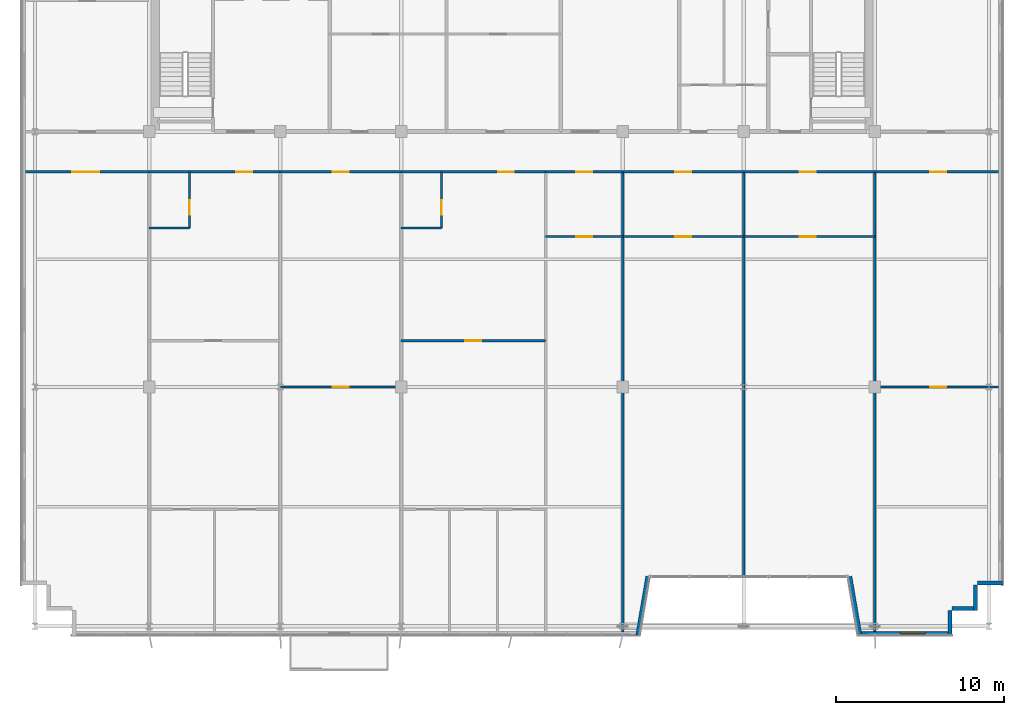
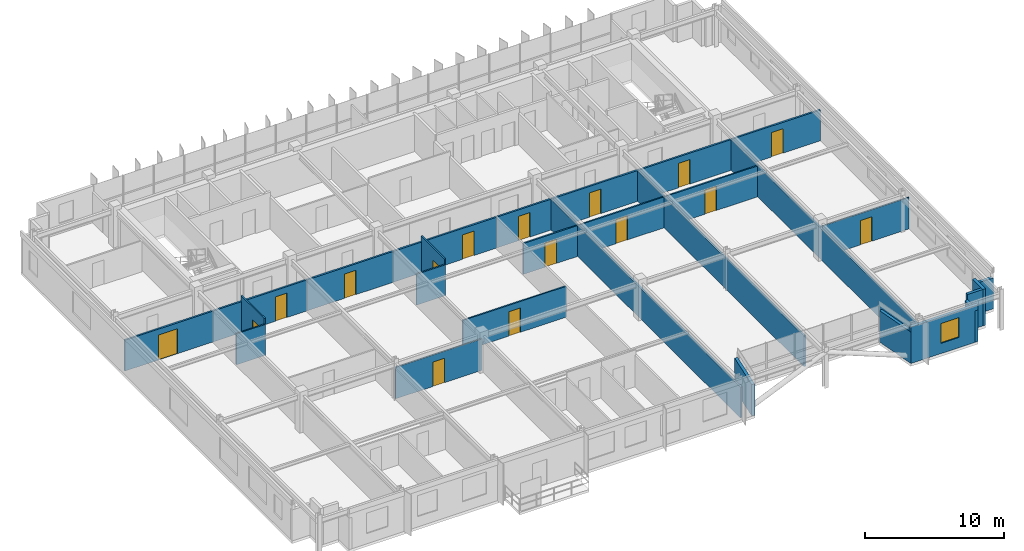
# One storey, part 22 of 27: 28 walls, 16 doors, 1 window, 17 openings.
"""IFC4 building model written with IfcOpenShell, lengths in metres."""

from ifc_helpers import new_model, si_unit, direction, frame, frame_2d, origin, place, context, subcontext, project, spatial, rectangle, extrude, source, transform, mapped, material, layer, layer_set, type_object, element, fill, save


model = new_model("IFC4")

# Units and contexts
model_context = context("Model", 3, precision=1e-05, world=origin(), true_north=direction((0.0, 1.0)))
body_context = subcontext(model_context, "Body", "Model", "MODEL_VIEW")
ifc_project = project(units=[si_unit("LENGTHUNIT", "METRE"), si_unit("AREAUNIT", "SQUARE_METRE"), si_unit("VOLUMEUNIT", "CUBIC_METRE"), si_unit("PLANEANGLEUNIT", "RADIAN"), si_unit("MASSUNIT", "GRAM", prefix="KILO")], contexts=[model_context])

# Site, building, storey
site_placement = place(None, origin())
site = spatial("IfcSite", under=ifc_project, at=site_placement, CompositionType="ELEMENT")
building_placement = place(site_placement, origin())
building = spatial("IfcBuilding", under=site, at=building_placement, Name="Trelvane Seafront Commons", CompositionType="ELEMENT")
storey_placement = place(building_placement, frame((0.0, 0.0, 237.300048828125)))
storey = spatial("IfcBuildingStorey", under=building, at=storey_placement, Name="L62", CompositionType="ELEMENT", Elevation=237.300048828125)

# Walls
ifc_material_1 = material(Name="Precast concrete C40/50", Category="concrete")
ifc_layer_1 = layer(ifc_material_1, 0.239990234375, Name="ARCH-WALL-EXT240")
ifc_layer_set_1 = layer_set([ifc_layer_1], Name="Precast concrete C40/50")
wall_type_1 = type_object("IfcWallType", Name="ARCH-WALL-EXT240", PredefinedType="SOLIDWALL", material=ifc_layer_set_1)
wall_1_placement = place(storey_placement, frame((66.39990234375, 6.52001953125, 0.0), z_axis=(0.0, 0.0, 1.0), x_axis=(-1.0, 0.0, 0.0)))
element("IfcWall", 1, at=wall_1_placement, inside=storey, type_object=wall_type_1, Name="EW-L62-01268", PredefinedType="SOLIDWALL", context=body_context, shape_type="SweptSolid", body=[
    extrude(rectangle(XDim=1.5, YDim=0.239990234375, at=frame_2d((0.75, 0.0))), origin(), (0.0, 0.0, 1.0), 2.719970703125),
])
for number, where, z_axis, x_axis, name in (
    (2, (64.780029296875, 6.39990234375, 0.0), (0.0, 0.0, 1.0), (0.0, -1.0, 0.0), "EW-L62-01269"),
    (3, (64.89990234375, 5.02001953125, 0.0), (0.0, 0.0, 1.0), (-1.0, 0.0, 0.0), "EW-L62-01270"),
):
    element("IfcWall", number, at=place(storey_placement, frame(where, z_axis=z_axis, x_axis=x_axis)), inside=storey, type_object=wall_type_1, Name=name, PredefinedType="SOLIDWALL", context=body_context, shape_type="SweptSolid", body=[
        extrude(rectangle(XDim=1.5, YDim=0.239990234375, at=frame_2d((0.75, 0.0))), origin(), (0.0, 0.0, 1.0), 3.219970703125),
    ])
wall_2_placement = place(storey_placement, frame((63.280029296875, 4.89990234375, 0.0), z_axis=(0.0, 0.0, 1.0), x_axis=(0.0, -1.0, 0.0)))
element("IfcWall", 4, at=wall_2_placement, inside=storey, type_object=wall_type_1, Name="EW-L62-01271", PredefinedType="SOLIDWALL", context=body_context, shape_type="SweptSolid", body=[
    extrude(rectangle(XDim=1.5, YDim=0.239990234375, at=frame_2d((0.75, 0.0))), origin(), (0.0, 0.0, 1.0), 2.77001953125),
])

# Wall, opening, window
wall_3_placement = place(storey_placement, frame((63.39990234375, 3.52001953125, 0.0), z_axis=(0.0, 0.0, 1.0), x_axis=(-1.0, 0.0, 0.0)))
wall_3 = element("IfcWall", 5, at=wall_3_placement, inside=storey, type_object=wall_type_1, Name="EW-L62-01272", PredefinedType="SOLIDWALL", context=body_context, shape_type="SweptSolid", body=[
    extrude(rectangle(XDim=5.599853515625, YDim=0.239990234375, at=frame_2d((2.7998046875, 0.0))), origin(), (0.0, 0.0, 1.0), 3.219970703125),
])
opening_1_placement = place(wall_3_placement, frame((1.594970703125, 0.0, 0.89990234375)))
opening_1 = element("IfcOpeningElement", 6, at=opening_1_placement, cuts=wall_3, Name="Opening W03", PredefinedType="OPENING", context=body_context, shape_type="SweptSolid", body=[
    extrude(rectangle(XDim=1.5, YDim=1.75, at=frame_2d((0.75, 0.875))), frame((0.0, 0.1298828125, 0.0), z_axis=(0.0, -1.0, 0.0), x_axis=(1.0, 0.0, 0.0)), (0.0, 0.0, 1.0), 0.260009765625),
])
ifc_material_2 = material(Name="Low-E coastal double glazing", Category="glass")
window_type = type_object("IfcWindowType", Name="ARCH-WIN-W03", PartitioningType="SINGLE_PANEL", PredefinedType="WINDOW", material=ifc_material_2)
shared_shape_1 = source(origin(), body_context, "Body", "SweptSolid", [
    extrude(rectangle(XDim=1.5, YDim=1.75, at=frame_2d((0.75, 0.875))), frame((0.0, 0.030029296875, 0.0), z_axis=(0.0, -1.0, 0.0), x_axis=(1.0, 0.0, 0.0)), (0.0, 0.0, 1.0), 0.06005859375),
])
window_placement = place(opening_1_placement, origin())
window = element("IfcWindow", 7, at=window_placement, inside=storey, type_object=window_type, Name="WIN-L62-01526", OverallHeight=1.75, OverallWidth=1.5, PartitioningType="SINGLE_PANEL", PredefinedType="WINDOW", context=body_context, shape_type="MappedRepresentation", body=[
    mapped(shared_shape_1, transform((0.0, 0.0, 0.0), x_axis=(1.0, 0.0, 0.0), y_axis=(0.0, 1.0, 0.0), z_axis=(0.0, 0.0, 1.0), scale=1.0)),
])
fill(opening_1, window)

# Walls
for number, where, z_axis, x_axis, name in (
    (8, (57.918212890625, 3.42041015625, 0.0), (0.0, 0.0, 1.0), (-0.168923741424, 0.98562912375, 0.0), "EW-L62-01273"),
    (9, (45.28173828125, 6.92041015625, 0.0), (0.0, 0.0, 1.0), (-0.168990530437, -0.98561767467, 0.0), "EW-L62-01274"),
):
    element("IfcWall", number, at=place(storey_placement, frame(where, z_axis=z_axis, x_axis=x_axis)), inside=storey, type_object=wall_type_1, Name=name, PredefinedType="SOLIDWALL", context=body_context, shape_type="SweptSolid", body=[
        extrude(rectangle(XDim=3.551025390625, YDim=0.239990234375, at=frame_2d((1.775390625, 0.0))), origin(), (0.0, 0.0, 1.0), 2.77001953125),
    ])

# Wall, opening, door
ifc_material_3 = material(Name="Gypsum Drywall Acoustic Partition")
ifc_layer_2 = layer(ifc_material_3, 0.1201171875, Name="ARCH-WALL-PART120")
ifc_layer_set_2 = layer_set([ifc_layer_2], Name="Gypsum Drywall Acoustic Partition")
wall_type_2 = type_object("IfcWallType", Name="ARCH-WALL-PART120", PredefinedType="PARTITIONING", material=ifc_layer_set_2)
wall_4_placement = place(storey_placement, frame((18.0, 27.64990234375, 0.0), z_axis=(0.0, 0.0, 1.0), x_axis=(0.0, 1.0, 0.0)))
wall_4 = element("IfcWall", 10, at=wall_4_placement, inside=storey, type_object=wall_type_2, Name="W-L62-U2-BE-050", PredefinedType="PARTITIONING", context=body_context, shape_type="SweptSolid", body=[
    extrude(rectangle(XDim=3.35009765625, YDim=0.1201171875, at=frame_2d((1.675048828125, 0.0))), origin(), (0.0, 0.0, 1.0), 3.219970703125),
])
opening_2_placement = place(wall_4_placement, frame((0.800048828125, 0.0, 0.0)))
opening_2 = element("IfcOpeningElement", 11, at=opening_2_placement, cuts=wall_4, Name="Opening D-L62-30", PredefinedType="OPENING", context=body_context, shape_type="SweptSolid", body=[
    extrude(rectangle(XDim=0.85009765625, YDim=2.10009765625, at=frame_2d((0.425048828125, 1.050048828125))), frame((0.0, 0.070068359375, 0.0), z_axis=(0.0, -1.0, 0.0), x_axis=(1.0, 0.0, 0.0)), (0.0, 0.0, 1.0), 0.14013671875),
])
ifc_material_4 = material(Name="Acoustic timber door leaf", Category="wood")
door_type_1 = type_object("IfcDoorType", Name="ARCH-DR-INT850", OperationType="NOTDEFINED", PredefinedType="DOOR", material=ifc_material_4)
shared_shape_2 = source(origin(), body_context, "Body", "SweptSolid", [
    extrude(rectangle(XDim=0.85009765625, YDim=2.10009765625, at=frame_2d((0.425048828125, 1.050048828125))), frame((0.0, 0.02490234375, 0.0), z_axis=(0.0, -1.0, 0.0), x_axis=(1.0, 0.0, 0.0)), (0.0, 0.0, 1.0), 0.050048828125),
])
door_1_placement = place(opening_2_placement, origin())
door_1 = element("IfcDoor", 12, at=door_1_placement, inside=storey, type_object=door_type_1, Name="L62 Door 30", OperationType="SINGLE_SWING_RIGHT", OverallHeight=2.10009765625, OverallWidth=0.85009765625, PredefinedType="DOOR", context=body_context, shape_type="MappedRepresentation", body=[
    mapped(shared_shape_2, transform((0.0, 0.0, 0.0), x_axis=(1.0, 0.0, 0.0), y_axis=(0.0, 1.0, 0.0), z_axis=(0.0, 0.0, 1.0), scale=1.0)),
])
fill(opening_2, door_1)

# Wall
wall_5_placement = place(storey_placement, frame((15.60009765625, 27.64990234375, 0.0), z_axis=(0.0, 0.0, 1.0), x_axis=(1.0, 0.0, 0.0)))
element("IfcWall", 13, at=wall_5_placement, inside=storey, type_object=wall_type_2, Name="W-L62-U2-BS-051", PredefinedType="PARTITIONING", context=body_context, shape_type="SweptSolid", body=[
    extrude(rectangle(XDim=2.39990234375, YDim=0.1201171875, at=frame_2d((1.199951171875, 0.0))), origin(), (0.0, 0.0, 1.0), 2.719970703125),
])

# Wall, opening, door
wall_6_placement = place(storey_placement, frame((23.39990234375, 18.199951171875, 0.0), z_axis=(0.0, 0.0, 1.0), x_axis=(1.0, 0.0, 0.0)))
wall_6 = element("IfcWall", 14, at=wall_6_placement, inside=storey, type_object=wall_type_2, Name="W-L62-U3-DIV-057", PredefinedType="PARTITIONING", context=body_context, shape_type="SweptSolid", body=[
    extrude(rectangle(XDim=7.2001953125, YDim=0.1201171875, at=frame_2d((3.60009765625, 0.0))), origin(), (0.0, 0.0, 1.0), 2.77001953125),
])
opening_3_placement = place(wall_6_placement, frame((3.125, 0.0, 0.0)))
opening_3 = element("IfcOpeningElement", 15, at=opening_3_placement, cuts=wall_6, Name="Opening D-L62-35", PredefinedType="OPENING", context=body_context, shape_type="SweptSolid", body=[
    extrude(rectangle(XDim=0.949951171875, YDim=2.14990234375, at=frame_2d((0.47509765625, 1.074951171875))), frame((0.0, 0.070068359375, 0.0), z_axis=(0.0, -1.0, 0.0), x_axis=(1.0, 0.0, 0.0)), (0.0, 0.0, 1.0), 0.14013671875),
])
door_type_2 = type_object("IfcDoorType", Name="ARCH-DR-INT950", OperationType="NOTDEFINED", PredefinedType="DOOR", material=ifc_material_4)
shared_shape_3 = source(origin(), body_context, "Body", "SweptSolid", [
    extrude(rectangle(XDim=0.949951171875, YDim=2.14990234375, at=frame_2d((0.47509765625, 1.074951171875))), frame((0.0, 0.02490234375, 0.0), z_axis=(0.0, -1.0, 0.0), x_axis=(1.0, 0.0, 0.0)), (0.0, 0.0, 1.0), 0.050048828125),
])
door_2_placement = place(opening_3_placement, origin())
door_2 = element("IfcDoor", 16, at=door_2_placement, inside=storey, type_object=door_type_2, Name="L62 Door 35", OperationType="SINGLE_SWING_LEFT", OverallHeight=2.14990234375, OverallWidth=0.949951171875, PredefinedType="DOOR", context=body_context, shape_type="MappedRepresentation", body=[
    mapped(shared_shape_3, transform((0.0, 0.0, 0.0), x_axis=(1.0, 0.0, 0.0), y_axis=(0.0, 1.0, 0.0), z_axis=(0.0, 0.0, 1.0), scale=1.0)),
])
fill(opening_3, door_2)

wall_7_placement = place(storey_placement, frame((30.60009765625, 20.949951171875, 0.0), z_axis=(0.0, 0.0, 1.0), x_axis=(1.0, 0.0, 0.0)))
wall_7 = element("IfcWall", 17, at=wall_7_placement, inside=storey, type_object=wall_type_2, Name="W-L62-U4-KL-058", PredefinedType="PARTITIONING", context=body_context, shape_type="SweptSolid", body=[
    extrude(rectangle(XDim=8.599853515625, YDim=0.1201171875, at=frame_2d((4.2998046875, 0.0))), origin(), (0.0, 0.0, 1.0), 2.719970703125),
])
opening_4_placement = place(wall_7_placement, frame((3.824951171875, 0.0, 0.0)))
opening_4 = element("IfcOpeningElement", 18, at=opening_4_placement, cuts=wall_7, Name="Opening D-L62-36", PredefinedType="OPENING", context=body_context, shape_type="SweptSolid", body=[
    extrude(rectangle(XDim=0.949951171875, YDim=2.14990234375, at=frame_2d((0.47509765625, 1.074951171875))), frame((0.0, 0.070068359375, 0.0), z_axis=(0.0, -1.0, 0.0), x_axis=(1.0, 0.0, 0.0)), (0.0, 0.0, 1.0), 0.14013671875),
])
door_3_placement = place(opening_4_placement, origin())
door_3 = element("IfcDoor", 19, at=door_3_placement, inside=storey, type_object=door_type_2, Name="L62 Door 36", OperationType="SINGLE_SWING_RIGHT", OverallHeight=2.14990234375, OverallWidth=0.949951171875, PredefinedType="DOOR", context=body_context, shape_type="MappedRepresentation", body=[
    mapped(shared_shape_3, transform((0.0, 0.0, 0.0), x_axis=(1.0, 0.0, 0.0), y_axis=(0.0, 1.0, 0.0), z_axis=(0.0, 0.0, 1.0), scale=1.0)),
])
fill(opening_4, door_3)

wall_8_placement = place(storey_placement, frame((33.0, 27.64990234375, 0.0), z_axis=(0.0, 0.0, 1.0), x_axis=(0.0, 1.0, 0.0)))
wall_8 = element("IfcWall", 20, at=wall_8_placement, inside=storey, type_object=wall_type_2, Name="W-L62-U4-BE-059", PredefinedType="PARTITIONING", context=body_context, shape_type="SweptSolid", body=[
    extrude(rectangle(XDim=3.35009765625, YDim=0.1201171875, at=frame_2d((1.675048828125, 0.0))), origin(), (0.0, 0.0, 1.0), 3.219970703125),
])
opening_5_placement = place(wall_8_placement, frame((0.800048828125, 0.0, 0.0)))
opening_5 = element("IfcOpeningElement", 21, at=opening_5_placement, cuts=wall_8, Name="Opening D-L62-37", PredefinedType="OPENING", context=body_context, shape_type="SweptSolid", body=[
    extrude(rectangle(XDim=0.85009765625, YDim=2.10009765625, at=frame_2d((0.425048828125, 1.050048828125))), frame((0.0, 0.070068359375, 0.0), z_axis=(0.0, -1.0, 0.0), x_axis=(1.0, 0.0, 0.0)), (0.0, 0.0, 1.0), 0.14013671875),
])
door_4_placement = place(opening_5_placement, origin())
door_4 = element("IfcDoor", 22, at=door_4_placement, inside=storey, type_object=door_type_1, Name="L62 Door 37", OperationType="SINGLE_SWING_LEFT", OverallHeight=2.10009765625, OverallWidth=0.85009765625, PredefinedType="DOOR", context=body_context, shape_type="MappedRepresentation", body=[
    mapped(shared_shape_2, transform((0.0, 0.0, 0.0), x_axis=(1.0, 0.0, 0.0), y_axis=(0.0, 1.0, 0.0), z_axis=(0.0, 0.0, 1.0), scale=1.0)),
])
fill(opening_5, door_4)

# Wall
wall_9_placement = place(storey_placement, frame((30.60009765625, 27.64990234375, 0.0), z_axis=(0.0, 0.0, 1.0), x_axis=(1.0, 0.0, 0.0)))
element("IfcWall", 23, at=wall_9_placement, inside=storey, type_object=wall_type_2, Name="W-L62-U4-BS-060", PredefinedType="PARTITIONING", context=body_context, shape_type="SweptSolid", body=[
    extrude(rectangle(XDim=2.39990234375, YDim=0.1201171875, at=frame_2d((1.199951171875, 0.0))), origin(), (0.0, 0.0, 1.0), 2.719970703125),
])

# Wall, opening, door
wall_10_placement = place(storey_placement, frame((39.199951171875, 27.14990234375, 0.0), z_axis=(0.0, 0.0, 1.0), x_axis=(1.0, 0.0, 0.0)))
wall_10 = element("IfcWall", 24, at=wall_10_placement, inside=storey, type_object=wall_type_2, Name="W-L62-U5-DIV-068", PredefinedType="PARTITIONING", context=body_context, shape_type="SweptSolid", body=[
    extrude(rectangle(XDim=4.60009765625, YDim=0.1201171875, at=frame_2d((2.300048828125, 0.0))), origin(), (0.0, 0.0, 1.0), 2.719970703125),
])
opening_6_placement = place(wall_10_placement, frame((1.824951171875, 0.0, 0.0)))
opening_6 = element("IfcOpeningElement", 25, at=opening_6_placement, cuts=wall_10, Name="Opening D-L62-43", PredefinedType="OPENING", context=body_context, shape_type="SweptSolid", body=[
    extrude(rectangle(XDim=0.949951171875, YDim=2.14990234375, at=frame_2d((0.47509765625, 1.074951171875))), frame((0.0, 0.070068359375, 0.0), z_axis=(0.0, -1.0, 0.0), x_axis=(1.0, 0.0, 0.0)), (0.0, 0.0, 1.0), 0.14013671875),
])
door_5_placement = place(opening_6_placement, origin())
door_5 = element("IfcDoor", 26, at=door_5_placement, inside=storey, type_object=door_type_2, Name="L62 Door 43", OperationType="SINGLE_SWING_LEFT", OverallHeight=2.14990234375, OverallWidth=0.949951171875, PredefinedType="DOOR", context=body_context, shape_type="MappedRepresentation", body=[
    mapped(shared_shape_3, transform((0.0, 0.0, 0.0), x_axis=(1.0, 0.0, 0.0), y_axis=(0.0, 1.0, 0.0), z_axis=(0.0, 0.0, 1.0), scale=1.0)),
])
fill(opening_6, door_5)

wall_11_placement = place(storey_placement, frame((43.800048828125, 27.14990234375, 0.0), z_axis=(0.0, 0.0, 1.0), x_axis=(1.0, 0.0, 0.0)))
wall_11 = element("IfcWall", 27, at=wall_11_placement, inside=storey, type_object=wall_type_2, Name="W-L62-U6-DIV-070", PredefinedType="PARTITIONING", context=body_context, shape_type="SweptSolid", body=[
    extrude(rectangle(XDim=7.199951171875, YDim=0.1201171875, at=frame_2d((3.60009765625, 0.0))), origin(), (0.0, 0.0, 1.0), 2.719970703125),
])
opening_7_placement = place(wall_11_placement, frame((3.125, 0.0, 0.0)))
opening_7 = element("IfcOpeningElement", 28, at=opening_7_placement, cuts=wall_11, Name="Opening D-L62-45", PredefinedType="OPENING", context=body_context, shape_type="SweptSolid", body=[
    extrude(rectangle(XDim=0.949951171875, YDim=2.14990234375, at=frame_2d((0.47509765625, 1.074951171875))), frame((0.0, 0.070068359375, 0.0), z_axis=(0.0, -1.0, 0.0), x_axis=(1.0, 0.0, 0.0)), (0.0, 0.0, 1.0), 0.14013671875),
])
door_6_placement = place(opening_7_placement, origin())
door_6 = element("IfcDoor", 29, at=door_6_placement, inside=storey, type_object=door_type_2, Name="L62 Door 45", OperationType="SINGLE_SWING_LEFT", OverallHeight=2.14990234375, OverallWidth=0.949951171875, PredefinedType="DOOR", context=body_context, shape_type="MappedRepresentation", body=[
    mapped(shared_shape_3, transform((0.0, 0.0, 0.0), x_axis=(1.0, 0.0, 0.0), y_axis=(0.0, 1.0, 0.0), z_axis=(0.0, 0.0, 1.0), scale=1.0)),
])
fill(opening_7, door_6)

wall_12_placement = place(storey_placement, frame((51.0, 27.14990234375, 0.0), z_axis=(0.0, 0.0, 1.0), x_axis=(1.0, 0.0, 0.0)))
wall_12 = element("IfcWall", 30, at=wall_12_placement, inside=storey, type_object=wall_type_2, Name="W-L62-U7-DIV-072", PredefinedType="PARTITIONING", context=body_context, shape_type="SweptSolid", body=[
    extrude(rectangle(XDim=7.800048828125, YDim=0.1201171875, at=frame_2d((3.89990234375, 0.0))), origin(), (0.0, 0.0, 1.0), 2.719970703125),
])
opening_8_placement = place(wall_12_placement, frame((3.3330078125, 0.0, 0.0)))
opening_8 = element("IfcOpeningElement", 31, at=opening_8_placement, cuts=wall_12, Name="Opening D-L62-47", PredefinedType="OPENING", context=body_context, shape_type="SweptSolid", body=[
    extrude(rectangle(XDim=0.949951171875, YDim=2.14990234375, at=frame_2d((0.47509765625, 1.074951171875))), frame((0.0, 0.070068359375, 0.0), z_axis=(0.0, -1.0, 0.0), x_axis=(1.0, 0.0, 0.0)), (0.0, 0.0, 1.0), 0.14013671875),
])
door_7_placement = place(opening_8_placement, origin())
door_7 = element("IfcDoor", 32, at=door_7_placement, inside=storey, type_object=door_type_2, Name="L62 Door 47", OperationType="SINGLE_SWING_LEFT", OverallHeight=2.14990234375, OverallWidth=0.949951171875, PredefinedType="DOOR", context=body_context, shape_type="MappedRepresentation", body=[
    mapped(shared_shape_3, transform((0.0, 0.0, 0.0), x_axis=(1.0, 0.0, 0.0), y_axis=(0.0, 1.0, 0.0), z_axis=(0.0, 0.0, 1.0), scale=1.0)),
])
fill(opening_8, door_7)

wall_13_placement = place(storey_placement, frame((58.800048828125, 18.199951171875, 0.0), z_axis=(0.0, 0.0, 1.0), x_axis=(1.0, 0.0, 0.0)))
wall_13 = element("IfcWall", 33, at=wall_13_placement, inside=storey, type_object=wall_type_2, Name="W-L62-U8-DIV-074", PredefinedType="PARTITIONING", context=body_context, shape_type="SweptSolid", body=[
    extrude(rectangle(XDim=7.375, YDim=0.1201171875, at=frame_2d((3.6875, 0.0))), origin(), (0.0, 0.0, 1.0), 2.77001953125),
])
opening_9_placement = place(wall_13_placement, frame((3.303955078125, 0.0, 0.0)))
opening_9 = element("IfcOpeningElement", 34, at=opening_9_placement, cuts=wall_13, Name="Opening D-L62-49", PredefinedType="OPENING", context=body_context, shape_type="SweptSolid", body=[
    extrude(rectangle(XDim=0.949951171875, YDim=2.14990234375, at=frame_2d((0.47509765625, 1.074951171875))), frame((0.0, 0.070068359375, 0.0), z_axis=(0.0, -1.0, 0.0), x_axis=(1.0, 0.0, 0.0)), (0.0, 0.0, 1.0), 0.14013671875),
])
door_8_placement = place(opening_9_placement, origin())
door_8 = element("IfcDoor", 35, at=door_8_placement, inside=storey, type_object=door_type_2, Name="L62 Door 49", OperationType="SINGLE_SWING_LEFT", OverallHeight=2.14990234375, OverallWidth=0.949951171875, PredefinedType="DOOR", context=body_context, shape_type="MappedRepresentation", body=[
    mapped(shared_shape_3, transform((0.0, 0.0, 0.0), x_axis=(1.0, 0.0, 0.0), y_axis=(0.0, 1.0, 0.0), z_axis=(0.0, 0.0, 1.0), scale=1.0)),
])
fill(opening_9, door_8)

# Walls
ifc_layer_3 = layer(ifc_material_3, 0.14990234375, Name="ARCH-WALL-PART150")
ifc_layer_set_3 = layer_set([ifc_layer_3], Name="Gypsum Drywall Acoustic Partition")
wall_type_3 = type_object("IfcWallType", Name="ARCH-WALL-PART150", PredefinedType="PARTITIONING", material=ifc_layer_set_3)
wall_14_placement = place(storey_placement, frame((43.800048828125, 3.625, 0.0), z_axis=(0.0, 0.0, 1.0), x_axis=(0.0, 1.0, 0.0)))
element("IfcWall", 36, at=wall_14_placement, inside=storey, type_object=wall_type_3, Name="W-L62-PW-5-045", PredefinedType="PARTITIONING", context=body_context, shape_type="SweptSolid", body=[
    extrude(rectangle(XDim=27.375, YDim=0.14990234375, at=frame_2d((13.6875, 0.0))), origin(), (0.0, 0.0, 1.0), 2.719970703125),
])
wall_15_placement = place(storey_placement, frame((51.0, 6.909912109375, 0.0), z_axis=(0.0, 0.0, 1.0), x_axis=(0.0, 1.0, 0.0)))
element("IfcWall", 37, at=wall_15_placement, inside=storey, type_object=wall_type_3, Name="W-L62-PW-6-046", PredefinedType="PARTITIONING", context=body_context, shape_type="SweptSolid", body=[
    extrude(rectangle(XDim=24.090087890625, YDim=0.14990234375, at=frame_2d((12.044921875, 0.0))), origin(), (0.0, 0.0, 1.0), 2.719970703125),
])
wall_16_placement = place(storey_placement, frame((58.800048828125, 3.625, 0.0), z_axis=(0.0, 0.0, 1.0), x_axis=(0.0, 1.0, 0.0)))
element("IfcWall", 38, at=wall_16_placement, inside=storey, type_object=wall_type_3, Name="W-L62-PW-7-047", PredefinedType="PARTITIONING", context=body_context, shape_type="SweptSolid", body=[
    extrude(rectangle(XDim=27.375, YDim=0.14990234375, at=frame_2d((13.6875, 0.0))), origin(), (0.0, 0.0, 1.0), 2.719970703125),
])

# Wall, opening, door
wall_17_placement = place(storey_placement, frame((8.22509765625, 31.0, 0.0), z_axis=(0.0, 0.0, 1.0), x_axis=(1.0, 0.0, 0.0)))
wall_17 = element("IfcWall", 39, at=wall_17_placement, inside=storey, type_object=wall_type_3, Name="W-L62-CS-BAY-1-048", PredefinedType="PARTITIONING", context=body_context, shape_type="SweptSolid", body=[
    extrude(rectangle(XDim=7.375, YDim=0.14990234375, at=frame_2d((3.6875, 0.0))), origin(), (0.0, 0.0, 1.0), 2.719970703125),
])
opening_10_placement = place(wall_17_placement, frame((2.794921875, 0.0, 0.0)))
opening_10 = element("IfcOpeningElement", 40, at=opening_10_placement, cuts=wall_17, Name="Opening D-L62-28", PredefinedType="OPENING", context=body_context, shape_type="SweptSolid", body=[
    extrude(rectangle(XDim=1.60009765625, YDim=2.199951171875, at=frame_2d((0.800048828125, 1.10009765625))), frame((0.0, 0.0849609375, 0.0), z_axis=(0.0, -1.0, 0.0), x_axis=(1.0, 0.0, 0.0)), (0.0, 0.0, 1.0), 0.169921875),
])
door_type_3 = type_object("IfcDoorType", Name="ARCH-DR-GLZ1600", OperationType="DOUBLE_DOOR_SINGLE_SWING", PredefinedType="DOOR", material=ifc_material_4)
shared_shape_4 = source(origin(), body_context, "Body", "SweptSolid", [
    extrude(rectangle(XDim=1.60009765625, YDim=2.199951171875, at=frame_2d((0.800048828125, 1.10009765625))), frame((0.0, 0.02490234375, 0.0), z_axis=(0.0, -1.0, 0.0), x_axis=(1.0, 0.0, 0.0)), (0.0, 0.0, 1.0), 0.050048828125),
])
door_9_placement = place(opening_10_placement, origin())
door_9 = element("IfcDoor", 41, at=door_9_placement, inside=storey, type_object=door_type_3, Name="L62 Commons Lounge 01 Door", OperationType="DOUBLE_DOOR_SINGLE_SWING", OverallHeight=2.199951171875, OverallWidth=1.60009765625, PredefinedType="DOOR", context=body_context, shape_type="MappedRepresentation", body=[
    mapped(shared_shape_4, transform((0.0, 0.0, 0.0), x_axis=(1.0, 0.0, 0.0), y_axis=(0.0, 1.0, 0.0), z_axis=(0.0, 0.0, 1.0), scale=1.0)),
])
fill(opening_10, door_9)

wall_18_placement = place(storey_placement, frame((15.60009765625, 31.0, 0.0), z_axis=(0.0, 0.0, 1.0), x_axis=(1.0, 0.0, 0.0)))
wall_18 = element("IfcWall", 42, at=wall_18_placement, inside=storey, type_object=wall_type_3, Name="W-L62-CS-BAY-2-052", PredefinedType="PARTITIONING", context=body_context, shape_type="SweptSolid", body=[
    extrude(rectangle(XDim=7.7998046875, YDim=0.14990234375, at=frame_2d((3.89990234375, 0.0))), origin(), (0.0, 0.0, 1.0), 2.719970703125),
])
opening_11_placement = place(wall_18_placement, frame((5.172119140625, 0.0, 0.0)))
opening_11 = element("IfcOpeningElement", 43, at=opening_11_placement, cuts=wall_18, Name="Opening FD-L62-31", PredefinedType="OPENING", context=body_context, shape_type="SweptSolid", body=[
    extrude(rectangle(XDim=0.949951171875, YDim=2.14990234375, at=frame_2d((0.47509765625, 1.074951171875))), frame((0.0, 0.0849609375, 0.0), z_axis=(0.0, -1.0, 0.0), x_axis=(1.0, 0.0, 0.0)), (0.0, 0.0, 1.0), 0.169921875),
])
ifc_material_5 = material(Name="Powder-coated aluminium frame", Category="aluminium")
door_type_4 = type_object("IfcDoorType", Name="ARCH-DR-FD60-950", OperationType="NOTDEFINED", PredefinedType="DOOR", material=ifc_material_5)
door_10_placement = place(opening_11_placement, origin())
door_10 = element("IfcDoor", 44, at=door_10_placement, inside=storey, type_object=door_type_4, Name="L62 Unit 02 Entrance Door", OperationType="SINGLE_SWING_LEFT", OverallHeight=2.14990234375, OverallWidth=0.949951171875, PredefinedType="DOOR", context=body_context, shape_type="MappedRepresentation", body=[
    mapped(shared_shape_3, transform((0.0, 0.0, 0.0), x_axis=(1.0, 0.0, 0.0), y_axis=(0.0, 1.0, 0.0), z_axis=(0.0, 0.0, 1.0), scale=1.0)),
])
fill(opening_11, door_10)

wall_19_placement = place(storey_placement, frame((23.39990234375, 31.0, 0.0), z_axis=(0.0, 0.0, 1.0), x_axis=(1.0, 0.0, 0.0)))
wall_19 = element("IfcWall", 45, at=wall_19_placement, inside=storey, type_object=wall_type_3, Name="W-L62-CS-BAY-3-056", PredefinedType="PARTITIONING", context=body_context, shape_type="SweptSolid", body=[
    extrude(rectangle(XDim=7.2001953125, YDim=0.14990234375, at=frame_2d((3.60009765625, 0.0))), origin(), (0.0, 0.0, 1.0), 2.719970703125),
])
opening_12_placement = place(wall_19_placement, frame((3.125, 0.0, 0.0)))
opening_12 = element("IfcOpeningElement", 46, at=opening_12_placement, cuts=wall_19, Name="Opening FD-L62-34", PredefinedType="OPENING", context=body_context, shape_type="SweptSolid", body=[
    extrude(rectangle(XDim=0.949951171875, YDim=2.14990234375, at=frame_2d((0.47509765625, 1.074951171875))), frame((0.0, 0.0849609375, 0.0), z_axis=(0.0, -1.0, 0.0), x_axis=(1.0, 0.0, 0.0)), (0.0, 0.0, 1.0), 0.169921875),
])
door_11_placement = place(opening_12_placement, origin())
door_11 = element("IfcDoor", 47, at=door_11_placement, inside=storey, type_object=door_type_4, Name="L62 Bay 03 Entrance Door", OperationType="SINGLE_SWING_RIGHT", OverallHeight=2.14990234375, OverallWidth=0.949951171875, PredefinedType="DOOR", context=body_context, shape_type="MappedRepresentation", body=[
    mapped(shared_shape_3, transform((0.0, 0.0, 0.0), x_axis=(1.0, 0.0, 0.0), y_axis=(0.0, 1.0, 0.0), z_axis=(0.0, 0.0, 1.0), scale=1.0)),
])
fill(opening_12, door_11)

wall_20_placement = place(storey_placement, frame((30.60009765625, 31.0, 0.0), z_axis=(0.0, 0.0, 1.0), x_axis=(1.0, 0.0, 0.0)))
wall_20 = element("IfcWall", 48, at=wall_20_placement, inside=storey, type_object=wall_type_3, Name="W-L62-CS-BAY-4-061", PredefinedType="PARTITIONING", context=body_context, shape_type="SweptSolid", body=[
    extrude(rectangle(XDim=8.599853515625, YDim=0.14990234375, at=frame_2d((4.2998046875, 0.0))), origin(), (0.0, 0.0, 1.0), 2.719970703125),
])
opening_13_placement = place(wall_20_placement, frame((5.76708984375, 0.0, 0.0)))
opening_13 = element("IfcOpeningElement", 49, at=opening_13_placement, cuts=wall_20, Name="Opening FD-L62-38", PredefinedType="OPENING", context=body_context, shape_type="SweptSolid", body=[
    extrude(rectangle(XDim=0.949951171875, YDim=2.14990234375, at=frame_2d((0.47509765625, 1.074951171875))), frame((0.0, 0.0849609375, 0.0), z_axis=(0.0, -1.0, 0.0), x_axis=(1.0, 0.0, 0.0)), (0.0, 0.0, 1.0), 0.169921875),
])
door_12_placement = place(opening_13_placement, origin())
door_12 = element("IfcDoor", 50, at=door_12_placement, inside=storey, type_object=door_type_4, Name="L62 Unit 04 Entrance Door", OperationType="SINGLE_SWING_RIGHT", OverallHeight=2.14990234375, OverallWidth=0.949951171875, PredefinedType="DOOR", context=body_context, shape_type="MappedRepresentation", body=[
    mapped(shared_shape_3, transform((0.0, 0.0, 0.0), x_axis=(1.0, 0.0, 0.0), y_axis=(0.0, 1.0, 0.0), z_axis=(0.0, 0.0, 1.0), scale=1.0)),
])
fill(opening_13, door_12)

wall_21_placement = place(storey_placement, frame((39.199951171875, 31.0, 0.0), z_axis=(0.0, 0.0, 1.0), x_axis=(1.0, 0.0, 0.0)))
wall_21 = element("IfcWall", 51, at=wall_21_placement, inside=storey, type_object=wall_type_3, Name="W-L62-CS-BAY-5-067", PredefinedType="PARTITIONING", context=body_context, shape_type="SweptSolid", body=[
    extrude(rectangle(XDim=4.60009765625, YDim=0.14990234375, at=frame_2d((2.300048828125, 0.0))), origin(), (0.0, 0.0, 1.0), 2.719970703125),
])
opening_14_placement = place(wall_21_placement, frame((1.824951171875, 0.0, 0.0)))
opening_14 = element("IfcOpeningElement", 52, at=opening_14_placement, cuts=wall_21, Name="Opening FD-L62-42", PredefinedType="OPENING", context=body_context, shape_type="SweptSolid", body=[
    extrude(rectangle(XDim=0.949951171875, YDim=2.14990234375, at=frame_2d((0.47509765625, 1.074951171875))), frame((0.0, 0.0849609375, 0.0), z_axis=(0.0, -1.0, 0.0), x_axis=(1.0, 0.0, 0.0)), (0.0, 0.0, 1.0), 0.169921875),
])
door_13_placement = place(opening_14_placement, origin())
door_13 = element("IfcDoor", 53, at=door_13_placement, inside=storey, type_object=door_type_4, Name="L62 Bay 05 Entrance Door", OperationType="SINGLE_SWING_RIGHT", OverallHeight=2.14990234375, OverallWidth=0.949951171875, PredefinedType="DOOR", context=body_context, shape_type="MappedRepresentation", body=[
    mapped(shared_shape_3, transform((0.0, 0.0, 0.0), x_axis=(1.0, 0.0, 0.0), y_axis=(0.0, 1.0, 0.0), z_axis=(0.0, 0.0, 1.0), scale=1.0)),
])
fill(opening_14, door_13)

wall_22_placement = place(storey_placement, frame((43.800048828125, 31.0, 0.0), z_axis=(0.0, 0.0, 1.0), x_axis=(1.0, 0.0, 0.0)))
wall_22 = element("IfcWall", 54, at=wall_22_placement, inside=storey, type_object=wall_type_3, Name="W-L62-CS-BAY-6-069", PredefinedType="PARTITIONING", context=body_context, shape_type="SweptSolid", body=[
    extrude(rectangle(XDim=7.199951171875, YDim=0.14990234375, at=frame_2d((3.60009765625, 0.0))), origin(), (0.0, 0.0, 1.0), 2.719970703125),
])
opening_15_placement = place(wall_22_placement, frame((3.125, 0.0, 0.0)))
opening_15 = element("IfcOpeningElement", 55, at=opening_15_placement, cuts=wall_22, Name="Opening FD-L62-44", PredefinedType="OPENING", context=body_context, shape_type="SweptSolid", body=[
    extrude(rectangle(XDim=0.949951171875, YDim=2.14990234375, at=frame_2d((0.47509765625, 1.074951171875))), frame((0.0, 0.0849609375, 0.0), z_axis=(0.0, -1.0, 0.0), x_axis=(1.0, 0.0, 0.0)), (0.0, 0.0, 1.0), 0.169921875),
])
door_14_placement = place(opening_15_placement, origin())
door_14 = element("IfcDoor", 56, at=door_14_placement, inside=storey, type_object=door_type_4, Name="L62 Bay 06 Entrance Door", OperationType="SINGLE_SWING_RIGHT", OverallHeight=2.14990234375, OverallWidth=0.949951171875, PredefinedType="DOOR", context=body_context, shape_type="MappedRepresentation", body=[
    mapped(shared_shape_3, transform((0.0, 0.0, 0.0), x_axis=(1.0, 0.0, 0.0), y_axis=(0.0, 1.0, 0.0), z_axis=(0.0, 0.0, 1.0), scale=1.0)),
])
fill(opening_15, door_14)

wall_23_placement = place(storey_placement, frame((51.0, 31.0, 0.0), z_axis=(0.0, 0.0, 1.0), x_axis=(1.0, 0.0, 0.0)))
wall_23 = element("IfcWall", 57, at=wall_23_placement, inside=storey, type_object=wall_type_3, Name="W-L62-CS-BAY-7-071", PredefinedType="PARTITIONING", context=body_context, shape_type="SweptSolid", body=[
    extrude(rectangle(XDim=7.800048828125, YDim=0.14990234375, at=frame_2d((3.89990234375, 0.0))), origin(), (0.0, 0.0, 1.0), 2.719970703125),
])
opening_16_placement = place(wall_23_placement, frame((3.3330078125, 0.0, 0.0)))
opening_16 = element("IfcOpeningElement", 58, at=opening_16_placement, cuts=wall_23, Name="Opening FD-L62-46", PredefinedType="OPENING", context=body_context, shape_type="SweptSolid", body=[
    extrude(rectangle(XDim=0.949951171875, YDim=2.14990234375, at=frame_2d((0.47509765625, 1.074951171875))), frame((0.0, 0.0849609375, 0.0), z_axis=(0.0, -1.0, 0.0), x_axis=(1.0, 0.0, 0.0)), (0.0, 0.0, 1.0), 0.169921875),
])
door_15_placement = place(opening_16_placement, origin())
door_15 = element("IfcDoor", 59, at=door_15_placement, inside=storey, type_object=door_type_4, Name="L62 Bay 07 Entrance Door", OperationType="SINGLE_SWING_RIGHT", OverallHeight=2.14990234375, OverallWidth=0.949951171875, PredefinedType="DOOR", context=body_context, shape_type="MappedRepresentation", body=[
    mapped(shared_shape_3, transform((0.0, 0.0, 0.0), x_axis=(1.0, 0.0, 0.0), y_axis=(0.0, 1.0, 0.0), z_axis=(0.0, 0.0, 1.0), scale=1.0)),
])
fill(opening_16, door_15)

wall_24_placement = place(storey_placement, frame((58.800048828125, 31.0, 0.0), z_axis=(0.0, 0.0, 1.0), x_axis=(1.0, 0.0, 0.0)))
wall_24 = element("IfcWall", 60, at=wall_24_placement, inside=storey, type_object=wall_type_3, Name="W-L62-CS-BAY-8-073", PredefinedType="PARTITIONING", context=body_context, shape_type="SweptSolid", body=[
    extrude(rectangle(XDim=7.375, YDim=0.14990234375, at=frame_2d((3.6875, 0.0))), origin(), (0.0, 0.0, 1.0), 2.719970703125),
])
opening_17_placement = place(wall_24_placement, frame((3.303955078125, 0.0, 0.0)))
opening_17 = element("IfcOpeningElement", 61, at=opening_17_placement, cuts=wall_24, Name="Opening FD-L62-48", PredefinedType="OPENING", context=body_context, shape_type="SweptSolid", body=[
    extrude(rectangle(XDim=0.949951171875, YDim=2.14990234375, at=frame_2d((0.47509765625, 1.074951171875))), frame((0.0, 0.0849609375, 0.0), z_axis=(0.0, -1.0, 0.0), x_axis=(1.0, 0.0, 0.0)), (0.0, 0.0, 1.0), 0.169921875),
])
door_16_placement = place(opening_17_placement, origin())
door_16 = element("IfcDoor", 62, at=door_16_placement, inside=storey, type_object=door_type_4, Name="L62 Bay 08 Entrance Door", OperationType="SINGLE_SWING_RIGHT", OverallHeight=2.14990234375, OverallWidth=0.949951171875, PredefinedType="DOOR", context=body_context, shape_type="MappedRepresentation", body=[
    mapped(shared_shape_3, transform((0.0, 0.0, 0.0), x_axis=(1.0, 0.0, 0.0), y_axis=(0.0, 1.0, 0.0), z_axis=(0.0, 0.0, 1.0), scale=1.0)),
])
fill(opening_17, door_16)

save(model, "model.ifc")
